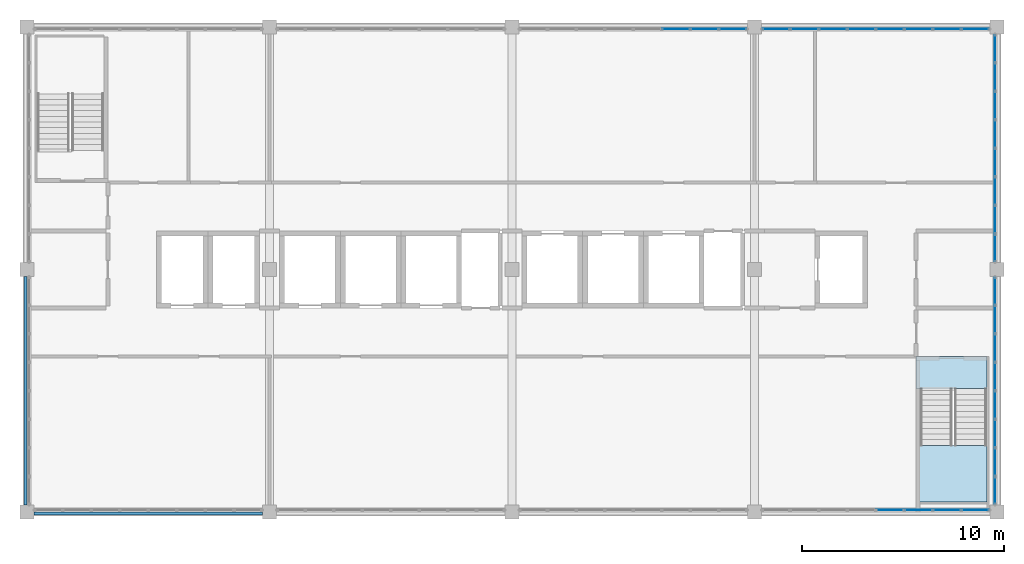
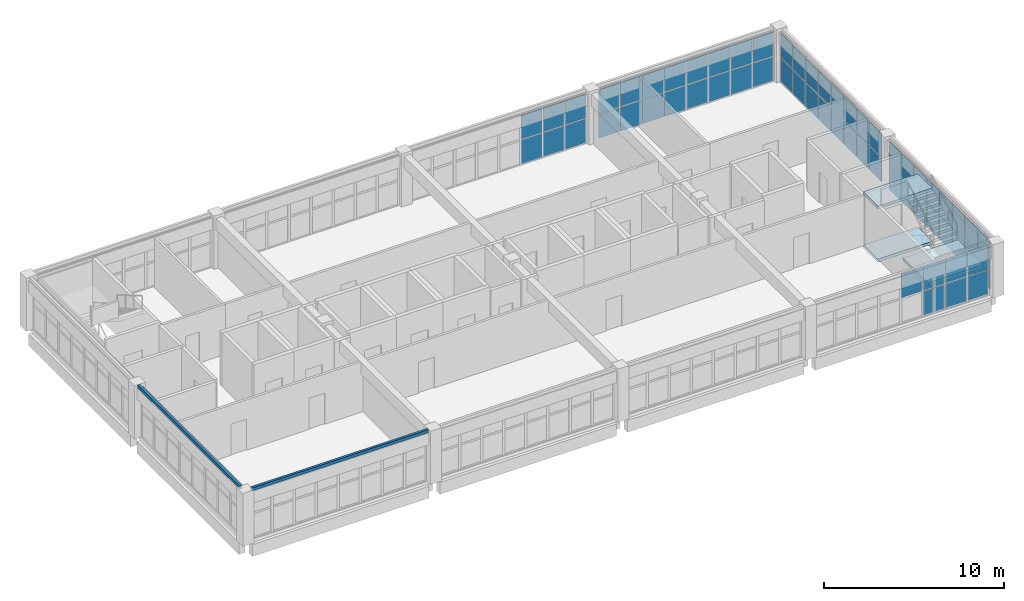
# One storey, part 12 of 16: 61 plates, 3 slabs, 2 walls, 6 elements without a shape of their own.
"""IFC4 building model written with IfcOpenShell, lengths in metres."""

from ifc_helpers import new_model, si_unit, direction, frame, frame_2d, origin, origin_2d, place, context, subcontext, project, spatial, polyline, rectangle, outline, extrude, material, layer, layer_set, type_object, element, aggregate, save


model = new_model("IFC4")

# Units and contexts
model_context = context("Model", 3, precision=1e-05, world=origin(), true_north=direction((0.0, 1.0)))
body_context = subcontext(model_context, "Body", "Model", "MODEL_VIEW")
ifc_project = project(units=[si_unit("LENGTHUNIT", "METRE"), si_unit("AREAUNIT", "SQUARE_METRE"), si_unit("VOLUMEUNIT", "CUBIC_METRE"), si_unit("PLANEANGLEUNIT", "RADIAN"), si_unit("MASSUNIT", "GRAM", prefix="KILO")], contexts=[model_context])

# Site, building, storey
site_placement = place(None, origin())
site = spatial("IfcSite", under=ifc_project, at=site_placement, CompositionType="ELEMENT")
building_placement = place(site_placement, origin())
building = spatial("IfcBuilding", under=site, at=building_placement, Name="Lilac Gate Convention Centre", CompositionType="ELEMENT")
storey_placement = place(building_placement, frame((0.0, 0.0, 67.800048828125)))
storey = spatial("IfcBuildingStorey", under=building, at=storey_placement, Name="L17", CompositionType="ELEMENT", Elevation=67.800048828125)

# Curtain wall, plates
ifc_material_1 = material(Name="Aluminium framed double glazing", Category="aluminium")
ifc_layer_1 = layer(ifc_material_1, 0.199951171875)
ifc_layer_set_1 = layer_set([ifc_layer_1], Name="Aluminium framed double glazing")
curtain_wall_type = type_object("IfcCurtainWallType", Name="Unitised curtain wall 1500", PredefinedType="NOTDEFINED", material=ifc_layer_set_1)
curtain_wall_1_placement = place(storey_placement, origin())
curtain_wall_1 = element("IfcCurtainWall", 1, at=curtain_wall_1_placement, inside=storey, type_object=curtain_wall_type, Name="Curtain wall S L17 4", PredefinedType="NOTDEFINED")
ifc_material_2 = material(Name="Double glazed unit low emissivity")
ifc_layer_2 = layer(ifc_material_2, 0.028076171875)
ifc_layer_set_2 = layer_set([ifc_layer_2], Name="Double glazed unit low emissivity")
plate_type_1 = type_object("IfcPlateType", Name="Curtain wall glass panel 28", PredefinedType="CURTAIN_PANEL", material=ifc_layer_set_2)
plate_1_placement = place(storey_placement, frame((84.706298828125, 222.10009765625, 1.72998046875), z_axis=(0.0, 0.0, 1.0), x_axis=(1.0, 0.0, 0.0)))
plate_1 = element("IfcPlate", 2, at=plate_1_placement, type_object=plate_type_1, Name="CW panel 5.2", PredefinedType="CURTAIN_PANEL", context=body_context, shape_type="SweptSolid", body=[
    extrude(rectangle(XDim=1.3525390625, YDim=0.028076171875, at=origin_2d()), origin(), (0.0, 0.0, 1.0), 1.60986328125),
])
plate_2_placement = place(storey_placement, frame((86.11865234375, 222.10009765625, 1.72998046875), z_axis=(0.0, 0.0, 1.0), x_axis=(1.0, 0.0, 0.0)))
plate_2 = element("IfcPlate", 3, at=plate_2_placement, type_object=plate_type_1, Name="CW panel 6.2", PredefinedType="CURTAIN_PANEL", context=body_context, shape_type="SweptSolid", body=[
    extrude(rectangle(XDim=1.3525390625, YDim=0.028076171875, at=origin_2d()), origin(), (0.0, 0.0, 1.0), 1.60986328125),
])
plate_3_placement = place(storey_placement, frame((87.53125, 222.10009765625, 1.72998046875), z_axis=(0.0, 0.0, 1.0), x_axis=(1.0, 0.0, 0.0)))
plate_3 = element("IfcPlate", 4, at=plate_3_placement, type_object=plate_type_1, Name="CW panel 7.2", PredefinedType="CURTAIN_PANEL", context=body_context, shape_type="SweptSolid", body=[
    extrude(rectangle(XDim=1.3525390625, YDim=0.028076171875, at=origin_2d()), origin(), (0.0, 0.0, 1.0), 1.60986328125),
])
plate_4_placement = place(storey_placement, frame((88.9287109375, 222.10009765625, 1.72998046875), z_axis=(0.0, 0.0, 1.0), x_axis=(1.0, 0.0, 0.0)))
plate_4 = element("IfcPlate", 5, at=plate_4_placement, type_object=plate_type_1, Name="CW panel 8.2", PredefinedType="CURTAIN_PANEL", context=body_context, shape_type="SweptSolid", body=[
    extrude(rectangle(XDim=1.322509765625, YDim=0.028076171875, at=origin_2d()), origin(), (0.0, 0.0, 1.0), 1.60986328125),
])

curtain_wall_2_placement = place(storey_placement, origin())
curtain_wall_2 = element("IfcCurtainWall", 6, at=curtain_wall_2_placement, inside=storey, type_object=curtain_wall_type, Name="Curtain wall E L17 1", PredefinedType="NOTDEFINED")
plate_5_placement = place(storey_placement, frame((89.89990234375, 223.0712890625, 1.72998046875), z_axis=(0.0, 0.0, 1.0), x_axis=(0.0, 1.0, 0.0)))
plate_5 = element("IfcPlate", 7, at=plate_5_placement, type_object=plate_type_1, Name="CW panel 1.2", PredefinedType="CURTAIN_PANEL", context=body_context, shape_type="SweptSolid", body=[
    extrude(rectangle(XDim=1.322509765625, YDim=0.028076171875, at=origin_2d()), origin(), (0.0, 0.0, 1.0), 1.60986328125),
])
plate_6_placement = place(storey_placement, frame((89.89990234375, 224.46875, 1.72998046875), z_axis=(0.0, 0.0, 1.0), x_axis=(0.0, 1.0, 0.0)))
plate_6 = element("IfcPlate", 8, at=plate_6_placement, type_object=plate_type_1, Name="CW panel 2.2", PredefinedType="CURTAIN_PANEL", context=body_context, shape_type="SweptSolid", body=[
    extrude(rectangle(XDim=1.3525390625, YDim=0.028076171875, at=origin_2d()), origin(), (0.0, 0.0, 1.0), 1.60986328125),
])
plate_7_placement = place(storey_placement, frame((89.89990234375, 225.88134765625, 1.72998046875), z_axis=(0.0, 0.0, 1.0), x_axis=(0.0, 1.0, 0.0)))
plate_7 = element("IfcPlate", 9, at=plate_7_placement, type_object=plate_type_1, Name="CW panel 3.2", PredefinedType="CURTAIN_PANEL", context=body_context, shape_type="SweptSolid", body=[
    extrude(rectangle(XDim=1.3525390625, YDim=0.028076171875, at=origin_2d()), origin(), (0.0, 0.0, 1.0), 1.60986328125),
])
plate_8_placement = place(storey_placement, frame((89.89990234375, 227.293701171875, 1.72998046875), z_axis=(0.0, 0.0, 1.0), x_axis=(0.0, 1.0, 0.0)))
plate_8 = element("IfcPlate", 10, at=plate_8_placement, type_object=plate_type_1, Name="CW panel 4.2", PredefinedType="CURTAIN_PANEL", context=body_context, shape_type="SweptSolid", body=[
    extrude(rectangle(XDim=1.3525390625, YDim=0.028076171875, at=origin_2d()), origin(), (0.0, 0.0, 1.0), 1.60986328125),
])
plate_9_placement = place(storey_placement, frame((89.89990234375, 228.706298828125, 1.72998046875), z_axis=(0.0, 0.0, 1.0), x_axis=(0.0, 1.0, 0.0)))
plate_9 = element("IfcPlate", 11, at=plate_9_placement, type_object=plate_type_1, Name="CW panel 5.2", PredefinedType="CURTAIN_PANEL", context=body_context, shape_type="SweptSolid", body=[
    extrude(rectangle(XDim=1.3525390625, YDim=0.028076171875, at=origin_2d()), origin(), (0.0, 0.0, 1.0), 1.60986328125),
])
plate_10_placement = place(storey_placement, frame((89.89990234375, 230.11865234375, 1.72998046875), z_axis=(0.0, 0.0, 1.0), x_axis=(0.0, 1.0, 0.0)))
plate_10 = element("IfcPlate", 12, at=plate_10_placement, type_object=plate_type_1, Name="CW panel 6.2", PredefinedType="CURTAIN_PANEL", context=body_context, shape_type="SweptSolid", body=[
    extrude(rectangle(XDim=1.3525390625, YDim=0.028076171875, at=origin_2d()), origin(), (0.0, 0.0, 1.0), 1.60986328125),
])
plate_11_placement = place(storey_placement, frame((89.89990234375, 231.53125, 1.72998046875), z_axis=(0.0, 0.0, 1.0), x_axis=(0.0, 1.0, 0.0)))
plate_11 = element("IfcPlate", 13, at=plate_11_placement, type_object=plate_type_1, Name="CW panel 7.2", PredefinedType="CURTAIN_PANEL", context=body_context, shape_type="SweptSolid", body=[
    extrude(rectangle(XDim=1.3525390625, YDim=0.028076171875, at=origin_2d()), origin(), (0.0, 0.0, 1.0), 1.60986328125),
])
plate_12_placement = place(storey_placement, frame((89.89990234375, 232.9287109375, 1.72998046875), z_axis=(0.0, 0.0, 1.0), x_axis=(0.0, 1.0, 0.0)))
plate_12 = element("IfcPlate", 14, at=plate_12_placement, type_object=plate_type_1, Name="CW panel 8.2", PredefinedType="CURTAIN_PANEL", context=body_context, shape_type="SweptSolid", body=[
    extrude(rectangle(XDim=1.322509765625, YDim=0.028076171875, at=origin_2d()), origin(), (0.0, 0.0, 1.0), 1.60986328125),
])

curtain_wall_3_placement = place(storey_placement, origin())
curtain_wall_3 = element("IfcCurtainWall", 15, at=curtain_wall_3_placement, inside=storey, type_object=curtain_wall_type, Name="Curtain wall E L17 2", PredefinedType="NOTDEFINED")
plate_13_placement = place(storey_placement, frame((89.89990234375, 235.0712890625, 1.72998046875), z_axis=(0.0, 0.0, 1.0), x_axis=(0.0, 1.0, 0.0)))
plate_13 = element("IfcPlate", 16, at=plate_13_placement, type_object=plate_type_1, Name="CW panel 1.2", PredefinedType="CURTAIN_PANEL", context=body_context, shape_type="SweptSolid", body=[
    extrude(rectangle(XDim=1.322509765625, YDim=0.028076171875, at=origin_2d()), origin(), (0.0, 0.0, 1.0), 1.60986328125),
])
plate_14_placement = place(storey_placement, frame((89.89990234375, 236.46875, 1.72998046875), z_axis=(0.0, 0.0, 1.0), x_axis=(0.0, 1.0, 0.0)))
plate_14 = element("IfcPlate", 17, at=plate_14_placement, type_object=plate_type_1, Name="CW panel 2.2", PredefinedType="CURTAIN_PANEL", context=body_context, shape_type="SweptSolid", body=[
    extrude(rectangle(XDim=1.3525390625, YDim=0.028076171875, at=origin_2d()), origin(), (0.0, 0.0, 1.0), 1.60986328125),
])
plate_15_placement = place(storey_placement, frame((89.89990234375, 237.88134765625, 1.72998046875), z_axis=(0.0, 0.0, 1.0), x_axis=(0.0, 1.0, 0.0)))
plate_15 = element("IfcPlate", 18, at=plate_15_placement, type_object=plate_type_1, Name="CW panel 3.2", PredefinedType="CURTAIN_PANEL", context=body_context, shape_type="SweptSolid", body=[
    extrude(rectangle(XDim=1.3525390625, YDim=0.028076171875, at=origin_2d()), origin(), (0.0, 0.0, 1.0), 1.60986328125),
])
plate_16_placement = place(storey_placement, frame((89.89990234375, 239.293701171875, 1.72998046875), z_axis=(0.0, 0.0, 1.0), x_axis=(0.0, 1.0, 0.0)))
plate_16 = element("IfcPlate", 19, at=plate_16_placement, type_object=plate_type_1, Name="CW panel 4.2", PredefinedType="CURTAIN_PANEL", context=body_context, shape_type="SweptSolid", body=[
    extrude(rectangle(XDim=1.3525390625, YDim=0.028076171875, at=origin_2d()), origin(), (0.0, 0.0, 1.0), 1.60986328125),
])
plate_17_placement = place(storey_placement, frame((89.89990234375, 240.706298828125, 1.72998046875), z_axis=(0.0, 0.0, 1.0), x_axis=(0.0, 1.0, 0.0)))
plate_17 = element("IfcPlate", 20, at=plate_17_placement, type_object=plate_type_1, Name="CW panel 5.2", PredefinedType="CURTAIN_PANEL", context=body_context, shape_type="SweptSolid", body=[
    extrude(rectangle(XDim=1.3525390625, YDim=0.028076171875, at=origin_2d()), origin(), (0.0, 0.0, 1.0), 1.60986328125),
])
plate_18_placement = place(storey_placement, frame((89.89990234375, 242.11865234375, 1.72998046875), z_axis=(0.0, 0.0, 1.0), x_axis=(0.0, 1.0, 0.0)))
plate_18 = element("IfcPlate", 21, at=plate_18_placement, type_object=plate_type_1, Name="CW panel 6.2", PredefinedType="CURTAIN_PANEL", context=body_context, shape_type="SweptSolid", body=[
    extrude(rectangle(XDim=1.3525390625, YDim=0.028076171875, at=origin_2d()), origin(), (0.0, 0.0, 1.0), 1.60986328125),
])
plate_19_placement = place(storey_placement, frame((89.89990234375, 243.53125, 1.72998046875), z_axis=(0.0, 0.0, 1.0), x_axis=(0.0, 1.0, 0.0)))
plate_19 = element("IfcPlate", 22, at=plate_19_placement, type_object=plate_type_1, Name="CW panel 7.2", PredefinedType="CURTAIN_PANEL", context=body_context, shape_type="SweptSolid", body=[
    extrude(rectangle(XDim=1.3525390625, YDim=0.028076171875, at=origin_2d()), origin(), (0.0, 0.0, 1.0), 1.60986328125),
])
plate_20_placement = place(storey_placement, frame((89.89990234375, 244.9287109375, 1.72998046875), z_axis=(0.0, 0.0, 1.0), x_axis=(0.0, 1.0, 0.0)))
plate_20 = element("IfcPlate", 23, at=plate_20_placement, type_object=plate_type_1, Name="CW panel 8.2", PredefinedType="CURTAIN_PANEL", context=body_context, shape_type="SweptSolid", body=[
    extrude(rectangle(XDim=1.322509765625, YDim=0.028076171875, at=origin_2d()), origin(), (0.0, 0.0, 1.0), 1.60986328125),
])

curtain_wall_4_placement = place(storey_placement, origin())
curtain_wall_4 = element("IfcCurtainWall", 24, at=curtain_wall_4_placement, inside=storey, type_object=curtain_wall_type, Name="Curtain wall N L17 1", PredefinedType="NOTDEFINED")
plate_21_placement = place(storey_placement, frame((88.9287109375, 245.89990234375, 1.72998046875), z_axis=(0.0, 0.0, 1.0), x_axis=(-1.0, 0.0, 0.0)))
plate_21 = element("IfcPlate", 25, at=plate_21_placement, type_object=plate_type_1, Name="CW panel 1.2", PredefinedType="CURTAIN_PANEL", context=body_context, shape_type="SweptSolid", body=[
    extrude(rectangle(XDim=1.322509765625, YDim=0.028076171875, at=origin_2d()), origin(), (0.0, 0.0, 1.0), 1.60986328125),
])
plate_22_placement = place(storey_placement, frame((87.53125, 245.89990234375, 1.72998046875), z_axis=(0.0, 0.0, 1.0), x_axis=(-1.0, 0.0, 0.0)))
plate_22 = element("IfcPlate", 26, at=plate_22_placement, type_object=plate_type_1, Name="CW panel 2.2", PredefinedType="CURTAIN_PANEL", context=body_context, shape_type="SweptSolid", body=[
    extrude(rectangle(XDim=1.3525390625, YDim=0.028076171875, at=origin_2d()), origin(), (0.0, 0.0, 1.0), 1.60986328125),
])
plate_23_placement = place(storey_placement, frame((86.11865234375, 245.89990234375, 1.72998046875), z_axis=(0.0, 0.0, 1.0), x_axis=(-1.0, 0.0, 0.0)))
plate_23 = element("IfcPlate", 27, at=plate_23_placement, type_object=plate_type_1, Name="CW panel 3.2", PredefinedType="CURTAIN_PANEL", context=body_context, shape_type="SweptSolid", body=[
    extrude(rectangle(XDim=1.3525390625, YDim=0.028076171875, at=origin_2d()), origin(), (0.0, 0.0, 1.0), 1.60986328125),
])
plate_24_placement = place(storey_placement, frame((84.706298828125, 245.89990234375, 1.72998046875), z_axis=(0.0, 0.0, 1.0), x_axis=(-1.0, 0.0, 0.0)))
plate_24 = element("IfcPlate", 28, at=plate_24_placement, type_object=plate_type_1, Name="CW panel 4.2", PredefinedType="CURTAIN_PANEL", context=body_context, shape_type="SweptSolid", body=[
    extrude(rectangle(XDim=1.3525390625, YDim=0.028076171875, at=origin_2d()), origin(), (0.0, 0.0, 1.0), 1.60986328125),
])
plate_25_placement = place(storey_placement, frame((83.293701171875, 245.89990234375, 1.72998046875), z_axis=(0.0, 0.0, 1.0), x_axis=(-1.0, 0.0, 0.0)))
plate_25 = element("IfcPlate", 29, at=plate_25_placement, type_object=plate_type_1, Name="CW panel 5.2", PredefinedType="CURTAIN_PANEL", context=body_context, shape_type="SweptSolid", body=[
    extrude(rectangle(XDim=1.3525390625, YDim=0.028076171875, at=origin_2d()), origin(), (0.0, 0.0, 1.0), 1.60986328125),
])
plate_26_placement = place(storey_placement, frame((81.88134765625, 245.89990234375, 1.72998046875), z_axis=(0.0, 0.0, 1.0), x_axis=(-1.0, 0.0, 0.0)))
plate_26 = element("IfcPlate", 30, at=plate_26_placement, type_object=plate_type_1, Name="CW panel 6.2", PredefinedType="CURTAIN_PANEL", context=body_context, shape_type="SweptSolid", body=[
    extrude(rectangle(XDim=1.3525390625, YDim=0.028076171875, at=origin_2d()), origin(), (0.0, 0.0, 1.0), 1.60986328125),
])
plate_27_placement = place(storey_placement, frame((80.46875, 245.89990234375, 1.72998046875), z_axis=(0.0, 0.0, 1.0), x_axis=(-1.0, 0.0, 0.0)))
plate_27 = element("IfcPlate", 31, at=plate_27_placement, type_object=plate_type_1, Name="CW panel 7.2", PredefinedType="CURTAIN_PANEL", context=body_context, shape_type="SweptSolid", body=[
    extrude(rectangle(XDim=1.3525390625, YDim=0.028076171875, at=origin_2d()), origin(), (0.0, 0.0, 1.0), 1.60986328125),
])
plate_28_placement = place(storey_placement, frame((79.0712890625, 245.89990234375, 1.72998046875), z_axis=(0.0, 0.0, 1.0), x_axis=(-1.0, 0.0, 0.0)))
plate_28 = element("IfcPlate", 32, at=plate_28_placement, type_object=plate_type_1, Name="CW panel 8.2", PredefinedType="CURTAIN_PANEL", context=body_context, shape_type="SweptSolid", body=[
    extrude(rectangle(XDim=1.322509765625, YDim=0.028076171875, at=origin_2d()), origin(), (0.0, 0.0, 1.0), 1.60986328125),
])

curtain_wall_5_placement = place(storey_placement, origin())
curtain_wall_5 = element("IfcCurtainWall", 33, at=curtain_wall_5_placement, inside=storey, type_object=curtain_wall_type, Name="Curtain wall N L17 2", PredefinedType="NOTDEFINED")
plate_29_placement = place(storey_placement, frame((76.9287109375, 245.89990234375, 1.72998046875), z_axis=(0.0, 0.0, 1.0), x_axis=(-1.0, 0.0, 0.0)))
plate_29 = element("IfcPlate", 34, at=plate_29_placement, type_object=plate_type_1, Name="CW panel 1.2", PredefinedType="CURTAIN_PANEL", context=body_context, shape_type="SweptSolid", body=[
    extrude(rectangle(XDim=1.322509765625, YDim=0.028076171875, at=origin_2d()), origin(), (0.0, 0.0, 1.0), 1.60986328125),
])
plate_30_placement = place(storey_placement, frame((75.53125, 245.89990234375, 1.72998046875), z_axis=(0.0, 0.0, 1.0), x_axis=(-1.0, 0.0, 0.0)))
plate_30 = element("IfcPlate", 35, at=plate_30_placement, type_object=plate_type_1, Name="CW panel 2.2", PredefinedType="CURTAIN_PANEL", context=body_context, shape_type="SweptSolid", body=[
    extrude(rectangle(XDim=1.3525390625, YDim=0.028076171875, at=origin_2d()), origin(), (0.0, 0.0, 1.0), 1.60986328125),
])
plate_31_placement = place(storey_placement, frame((74.11865234375, 245.89990234375, 1.72998046875), z_axis=(0.0, 0.0, 1.0), x_axis=(-1.0, 0.0, 0.0)))
plate_31 = element("IfcPlate", 36, at=plate_31_placement, type_object=plate_type_1, Name="CW panel 3.2", PredefinedType="CURTAIN_PANEL", context=body_context, shape_type="SweptSolid", body=[
    extrude(rectangle(XDim=1.3525390625, YDim=0.028076171875, at=origin_2d()), origin(), (0.0, 0.0, 1.0), 1.60986328125),
])

# Plate
ifc_material_3 = material(Name="Insulated aluminium spandrel panel", Category="aluminium")
ifc_layer_3 = layer(ifc_material_3, 0.028076171875)
ifc_layer_set_3 = layer_set([ifc_layer_3], Name="Insulated aluminium spandrel panel")
plate_type_2 = type_object("IfcPlateType", Name="Curtain wall spandrel panel 28", PredefinedType="CURTAIN_PANEL", material=ifc_layer_set_3)
plate_32_placement = place(storey_placement, frame((86.11865234375, 222.10009765625, 0.06005859375), z_axis=(0.0, 0.0, 1.0), x_axis=(1.0, 0.0, 0.0)))
plate_32 = element("IfcPlate", 37, at=plate_32_placement, type_object=plate_type_2, Name="CW spandrel 6.1", PredefinedType="CURTAIN_PANEL", context=body_context, shape_type="SweptSolid", body=[
    extrude(rectangle(XDim=1.3525390625, YDim=0.028076171875, at=origin_2d()), origin(), (0.0, 0.0, 1.0), 1.60986328125),
])

plate_33_placement = place(storey_placement, frame((87.53125, 222.10009765625, 0.06005859375), z_axis=(0.0, 0.0, 1.0), x_axis=(1.0, 0.0, 0.0)))
plate_33 = element("IfcPlate", 38, at=plate_33_placement, type_object=plate_type_2, Name="CW spandrel 7.1", PredefinedType="CURTAIN_PANEL", context=body_context, shape_type="SweptSolid", body=[
    extrude(rectangle(XDim=1.3525390625, YDim=0.028076171875, at=origin_2d()), origin(), (0.0, 0.0, 1.0), 1.60986328125),
])

plate_34_placement = place(storey_placement, frame((88.9287109375, 222.10009765625, 0.06005859375), z_axis=(0.0, 0.0, 1.0), x_axis=(1.0, 0.0, 0.0)))
plate_34 = element("IfcPlate", 39, at=plate_34_placement, type_object=plate_type_2, Name="CW spandrel 8.1", PredefinedType="CURTAIN_PANEL", context=body_context, shape_type="SweptSolid", body=[
    extrude(rectangle(XDim=1.322509765625, YDim=0.028076171875, at=origin_2d()), origin(), (0.0, 0.0, 1.0), 1.60986328125),
])

aggregate(curtain_wall_1, [plate_1, plate_32, plate_2, plate_33, plate_3, plate_34, plate_4])

plate_35_placement = place(storey_placement, frame((89.89990234375, 223.0712890625, 0.06005859375), z_axis=(0.0, 0.0, 1.0), x_axis=(0.0, 1.0, 0.0)))
plate_35 = element("IfcPlate", 40, at=plate_35_placement, type_object=plate_type_2, Name="CW spandrel 1.1", PredefinedType="CURTAIN_PANEL", context=body_context, shape_type="SweptSolid", body=[
    extrude(rectangle(XDim=1.322509765625, YDim=0.028076171875, at=origin_2d()), origin(), (0.0, 0.0, 1.0), 1.60986328125),
])

plate_36_placement = place(storey_placement, frame((89.89990234375, 224.46875, 0.06005859375), z_axis=(0.0, 0.0, 1.0), x_axis=(0.0, 1.0, 0.0)))
plate_36 = element("IfcPlate", 41, at=plate_36_placement, type_object=plate_type_2, Name="CW spandrel 2.1", PredefinedType="CURTAIN_PANEL", context=body_context, shape_type="SweptSolid", body=[
    extrude(rectangle(XDim=1.3525390625, YDim=0.028076171875, at=origin_2d()), origin(), (0.0, 0.0, 1.0), 1.60986328125),
])

plate_37_placement = place(storey_placement, frame((89.89990234375, 225.88134765625, 0.06005859375), z_axis=(0.0, 0.0, 1.0), x_axis=(0.0, 1.0, 0.0)))
plate_37 = element("IfcPlate", 42, at=plate_37_placement, type_object=plate_type_2, Name="CW spandrel 3.1", PredefinedType="CURTAIN_PANEL", context=body_context, shape_type="SweptSolid", body=[
    extrude(rectangle(XDim=1.3525390625, YDim=0.028076171875, at=origin_2d()), origin(), (0.0, 0.0, 1.0), 1.60986328125),
])

plate_38_placement = place(storey_placement, frame((89.89990234375, 227.293701171875, 0.06005859375), z_axis=(0.0, 0.0, 1.0), x_axis=(0.0, 1.0, 0.0)))
plate_38 = element("IfcPlate", 43, at=plate_38_placement, type_object=plate_type_2, Name="CW spandrel 4.1", PredefinedType="CURTAIN_PANEL", context=body_context, shape_type="SweptSolid", body=[
    extrude(rectangle(XDim=1.3525390625, YDim=0.028076171875, at=origin_2d()), origin(), (0.0, 0.0, 1.0), 1.60986328125),
])

plate_39_placement = place(storey_placement, frame((89.89990234375, 228.706298828125, 0.06005859375), z_axis=(0.0, 0.0, 1.0), x_axis=(0.0, 1.0, 0.0)))
plate_39 = element("IfcPlate", 44, at=plate_39_placement, type_object=plate_type_2, Name="CW spandrel 5.1", PredefinedType="CURTAIN_PANEL", context=body_context, shape_type="SweptSolid", body=[
    extrude(rectangle(XDim=1.3525390625, YDim=0.028076171875, at=origin_2d()), origin(), (0.0, 0.0, 1.0), 1.60986328125),
])

plate_40_placement = place(storey_placement, frame((89.89990234375, 230.11865234375, 0.06005859375), z_axis=(0.0, 0.0, 1.0), x_axis=(0.0, 1.0, 0.0)))
plate_40 = element("IfcPlate", 45, at=plate_40_placement, type_object=plate_type_2, Name="CW spandrel 6.1", PredefinedType="CURTAIN_PANEL", context=body_context, shape_type="SweptSolid", body=[
    extrude(rectangle(XDim=1.3525390625, YDim=0.028076171875, at=origin_2d()), origin(), (0.0, 0.0, 1.0), 1.60986328125),
])

plate_41_placement = place(storey_placement, frame((89.89990234375, 231.53125, 0.06005859375), z_axis=(0.0, 0.0, 1.0), x_axis=(0.0, 1.0, 0.0)))
plate_41 = element("IfcPlate", 46, at=plate_41_placement, type_object=plate_type_2, Name="CW spandrel 7.1", PredefinedType="CURTAIN_PANEL", context=body_context, shape_type="SweptSolid", body=[
    extrude(rectangle(XDim=1.3525390625, YDim=0.028076171875, at=origin_2d()), origin(), (0.0, 0.0, 1.0), 1.60986328125),
])

plate_42_placement = place(storey_placement, frame((89.89990234375, 232.9287109375, 0.06005859375), z_axis=(0.0, 0.0, 1.0), x_axis=(0.0, 1.0, 0.0)))
plate_42 = element("IfcPlate", 47, at=plate_42_placement, type_object=plate_type_2, Name="CW spandrel 8.1", PredefinedType="CURTAIN_PANEL", context=body_context, shape_type="SweptSolid", body=[
    extrude(rectangle(XDim=1.322509765625, YDim=0.028076171875, at=origin_2d()), origin(), (0.0, 0.0, 1.0), 1.60986328125),
])

aggregate(curtain_wall_2, [plate_35, plate_5, plate_36, plate_6, plate_37, plate_7, plate_38, plate_8, plate_39, plate_9, plate_40, plate_10, plate_41, plate_11, plate_42, plate_12])

plate_43_placement = place(storey_placement, frame((89.89990234375, 235.0712890625, 0.06005859375), z_axis=(0.0, 0.0, 1.0), x_axis=(0.0, 1.0, 0.0)))
plate_43 = element("IfcPlate", 48, at=plate_43_placement, type_object=plate_type_2, Name="CW spandrel 1.1", PredefinedType="CURTAIN_PANEL", context=body_context, shape_type="SweptSolid", body=[
    extrude(rectangle(XDim=1.322509765625, YDim=0.028076171875, at=origin_2d()), origin(), (0.0, 0.0, 1.0), 1.60986328125),
])

plate_44_placement = place(storey_placement, frame((89.89990234375, 236.46875, 0.06005859375), z_axis=(0.0, 0.0, 1.0), x_axis=(0.0, 1.0, 0.0)))
plate_44 = element("IfcPlate", 49, at=plate_44_placement, type_object=plate_type_2, Name="CW spandrel 2.1", PredefinedType="CURTAIN_PANEL", context=body_context, shape_type="SweptSolid", body=[
    extrude(rectangle(XDim=1.3525390625, YDim=0.028076171875, at=origin_2d()), origin(), (0.0, 0.0, 1.0), 1.60986328125),
])

plate_45_placement = place(storey_placement, frame((89.89990234375, 237.88134765625, 0.06005859375), z_axis=(0.0, 0.0, 1.0), x_axis=(0.0, 1.0, 0.0)))
plate_45 = element("IfcPlate", 50, at=plate_45_placement, type_object=plate_type_2, Name="CW spandrel 3.1", PredefinedType="CURTAIN_PANEL", context=body_context, shape_type="SweptSolid", body=[
    extrude(rectangle(XDim=1.3525390625, YDim=0.028076171875, at=origin_2d()), origin(), (0.0, 0.0, 1.0), 1.60986328125),
])

plate_46_placement = place(storey_placement, frame((89.89990234375, 239.293701171875, 0.06005859375), z_axis=(0.0, 0.0, 1.0), x_axis=(0.0, 1.0, 0.0)))
plate_46 = element("IfcPlate", 51, at=plate_46_placement, type_object=plate_type_2, Name="CW spandrel 4.1", PredefinedType="CURTAIN_PANEL", context=body_context, shape_type="SweptSolid", body=[
    extrude(rectangle(XDim=1.3525390625, YDim=0.028076171875, at=origin_2d()), origin(), (0.0, 0.0, 1.0), 1.60986328125),
])

plate_47_placement = place(storey_placement, frame((89.89990234375, 240.706298828125, 0.06005859375), z_axis=(0.0, 0.0, 1.0), x_axis=(0.0, 1.0, 0.0)))
plate_47 = element("IfcPlate", 52, at=plate_47_placement, type_object=plate_type_2, Name="CW spandrel 5.1", PredefinedType="CURTAIN_PANEL", context=body_context, shape_type="SweptSolid", body=[
    extrude(rectangle(XDim=1.3525390625, YDim=0.028076171875, at=origin_2d()), origin(), (0.0, 0.0, 1.0), 1.60986328125),
])

plate_48_placement = place(storey_placement, frame((89.89990234375, 242.11865234375, 0.06005859375), z_axis=(0.0, 0.0, 1.0), x_axis=(0.0, 1.0, 0.0)))
plate_48 = element("IfcPlate", 53, at=plate_48_placement, type_object=plate_type_2, Name="CW spandrel 6.1", PredefinedType="CURTAIN_PANEL", context=body_context, shape_type="SweptSolid", body=[
    extrude(rectangle(XDim=1.3525390625, YDim=0.028076171875, at=origin_2d()), origin(), (0.0, 0.0, 1.0), 1.60986328125),
])

plate_49_placement = place(storey_placement, frame((89.89990234375, 243.53125, 0.06005859375), z_axis=(0.0, 0.0, 1.0), x_axis=(0.0, 1.0, 0.0)))
plate_49 = element("IfcPlate", 54, at=plate_49_placement, type_object=plate_type_2, Name="CW spandrel 7.1", PredefinedType="CURTAIN_PANEL", context=body_context, shape_type="SweptSolid", body=[
    extrude(rectangle(XDim=1.3525390625, YDim=0.028076171875, at=origin_2d()), origin(), (0.0, 0.0, 1.0), 1.60986328125),
])

plate_50_placement = place(storey_placement, frame((89.89990234375, 244.9287109375, 0.06005859375), z_axis=(0.0, 0.0, 1.0), x_axis=(0.0, 1.0, 0.0)))
plate_50 = element("IfcPlate", 55, at=plate_50_placement, type_object=plate_type_2, Name="CW spandrel 8.1", PredefinedType="CURTAIN_PANEL", context=body_context, shape_type="SweptSolid", body=[
    extrude(rectangle(XDim=1.322509765625, YDim=0.028076171875, at=origin_2d()), origin(), (0.0, 0.0, 1.0), 1.60986328125),
])

aggregate(curtain_wall_3, [plate_43, plate_13, plate_44, plate_14, plate_45, plate_15, plate_46, plate_16, plate_47, plate_17, plate_48, plate_18, plate_49, plate_19, plate_50, plate_20])

plate_51_placement = place(storey_placement, frame((88.9287109375, 245.89990234375, 0.06005859375), z_axis=(0.0, 0.0, 1.0), x_axis=(-1.0, 0.0, 0.0)))
plate_51 = element("IfcPlate", 56, at=plate_51_placement, type_object=plate_type_2, Name="CW spandrel 1.1", PredefinedType="CURTAIN_PANEL", context=body_context, shape_type="SweptSolid", body=[
    extrude(rectangle(XDim=1.322509765625, YDim=0.028076171875, at=origin_2d()), origin(), (0.0, 0.0, 1.0), 1.60986328125),
])

plate_52_placement = place(storey_placement, frame((87.53125, 245.89990234375, 0.06005859375), z_axis=(0.0, 0.0, 1.0), x_axis=(-1.0, 0.0, 0.0)))
plate_52 = element("IfcPlate", 57, at=plate_52_placement, type_object=plate_type_2, Name="CW spandrel 2.1", PredefinedType="CURTAIN_PANEL", context=body_context, shape_type="SweptSolid", body=[
    extrude(rectangle(XDim=1.3525390625, YDim=0.028076171875, at=origin_2d()), origin(), (0.0, 0.0, 1.0), 1.60986328125),
])

plate_53_placement = place(storey_placement, frame((86.11865234375, 245.89990234375, 0.06005859375), z_axis=(0.0, 0.0, 1.0), x_axis=(-1.0, 0.0, 0.0)))
plate_53 = element("IfcPlate", 58, at=plate_53_placement, type_object=plate_type_2, Name="CW spandrel 3.1", PredefinedType="CURTAIN_PANEL", context=body_context, shape_type="SweptSolid", body=[
    extrude(rectangle(XDim=1.3525390625, YDim=0.028076171875, at=origin_2d()), origin(), (0.0, 0.0, 1.0), 1.60986328125),
])

plate_54_placement = place(storey_placement, frame((84.706298828125, 245.89990234375, 0.06005859375), z_axis=(0.0, 0.0, 1.0), x_axis=(-1.0, 0.0, 0.0)))
plate_54 = element("IfcPlate", 59, at=plate_54_placement, type_object=plate_type_2, Name="CW spandrel 4.1", PredefinedType="CURTAIN_PANEL", context=body_context, shape_type="SweptSolid", body=[
    extrude(rectangle(XDim=1.3525390625, YDim=0.028076171875, at=origin_2d()), origin(), (0.0, 0.0, 1.0), 1.60986328125),
])

plate_55_placement = place(storey_placement, frame((83.293701171875, 245.89990234375, 0.06005859375), z_axis=(0.0, 0.0, 1.0), x_axis=(-1.0, 0.0, 0.0)))
plate_55 = element("IfcPlate", 60, at=plate_55_placement, type_object=plate_type_2, Name="CW spandrel 5.1", PredefinedType="CURTAIN_PANEL", context=body_context, shape_type="SweptSolid", body=[
    extrude(rectangle(XDim=1.3525390625, YDim=0.028076171875, at=origin_2d()), origin(), (0.0, 0.0, 1.0), 1.60986328125),
])

plate_56_placement = place(storey_placement, frame((81.88134765625, 245.89990234375, 0.06005859375), z_axis=(0.0, 0.0, 1.0), x_axis=(-1.0, 0.0, 0.0)))
plate_56 = element("IfcPlate", 61, at=plate_56_placement, type_object=plate_type_2, Name="CW spandrel 6.1", PredefinedType="CURTAIN_PANEL", context=body_context, shape_type="SweptSolid", body=[
    extrude(rectangle(XDim=1.3525390625, YDim=0.028076171875, at=origin_2d()), origin(), (0.0, 0.0, 1.0), 1.60986328125),
])

plate_57_placement = place(storey_placement, frame((80.46875, 245.89990234375, 0.06005859375), z_axis=(0.0, 0.0, 1.0), x_axis=(-1.0, 0.0, 0.0)))
plate_57 = element("IfcPlate", 62, at=plate_57_placement, type_object=plate_type_2, Name="CW spandrel 7.1", PredefinedType="CURTAIN_PANEL", context=body_context, shape_type="SweptSolid", body=[
    extrude(rectangle(XDim=1.3525390625, YDim=0.028076171875, at=origin_2d()), origin(), (0.0, 0.0, 1.0), 1.60986328125),
])

plate_58_placement = place(storey_placement, frame((79.0712890625, 245.89990234375, 0.06005859375), z_axis=(0.0, 0.0, 1.0), x_axis=(-1.0, 0.0, 0.0)))
plate_58 = element("IfcPlate", 63, at=plate_58_placement, type_object=plate_type_2, Name="CW spandrel 8.1", PredefinedType="CURTAIN_PANEL", context=body_context, shape_type="SweptSolid", body=[
    extrude(rectangle(XDim=1.322509765625, YDim=0.028076171875, at=origin_2d()), origin(), (0.0, 0.0, 1.0), 1.60986328125),
])

aggregate(curtain_wall_4, [plate_51, plate_21, plate_52, plate_22, plate_53, plate_23, plate_54, plate_24, plate_55, plate_25, plate_56, plate_26, plate_57, plate_27, plate_58, plate_28])

plate_59_placement = place(storey_placement, frame((76.9287109375, 245.89990234375, 0.06005859375), z_axis=(0.0, 0.0, 1.0), x_axis=(-1.0, 0.0, 0.0)))
plate_59 = element("IfcPlate", 64, at=plate_59_placement, type_object=plate_type_2, Name="CW spandrel 1.1", PredefinedType="CURTAIN_PANEL", context=body_context, shape_type="SweptSolid", body=[
    extrude(rectangle(XDim=1.322509765625, YDim=0.028076171875, at=origin_2d()), origin(), (0.0, 0.0, 1.0), 1.60986328125),
])

plate_60_placement = place(storey_placement, frame((75.53125, 245.89990234375, 0.06005859375), z_axis=(0.0, 0.0, 1.0), x_axis=(-1.0, 0.0, 0.0)))
plate_60 = element("IfcPlate", 65, at=plate_60_placement, type_object=plate_type_2, Name="CW spandrel 2.1", PredefinedType="CURTAIN_PANEL", context=body_context, shape_type="SweptSolid", body=[
    extrude(rectangle(XDim=1.3525390625, YDim=0.028076171875, at=origin_2d()), origin(), (0.0, 0.0, 1.0), 1.60986328125),
])

plate_61_placement = place(storey_placement, frame((74.11865234375, 245.89990234375, 0.06005859375), z_axis=(0.0, 0.0, 1.0), x_axis=(-1.0, 0.0, 0.0)))
plate_61 = element("IfcPlate", 66, at=plate_61_placement, type_object=plate_type_2, Name="CW spandrel 3.1", PredefinedType="CURTAIN_PANEL", context=body_context, shape_type="SweptSolid", body=[
    extrude(rectangle(XDim=1.3525390625, YDim=0.028076171875, at=origin_2d()), origin(), (0.0, 0.0, 1.0), 1.60986328125),
])

aggregate(curtain_wall_5, [plate_59, plate_29, plate_60, plate_30, plate_61, plate_31])

# Stair, slabs
ifc_material_4 = material(Name="Concrete C40", Category="concrete")
stair_type = type_object("IfcStairType", Name="Exit stair", PredefinedType="DOUBLE_RETURN_STAIR", material=ifc_material_4)
stair_placement = place(storey_placement, origin())
stair = element("IfcStair", 67, at=stair_placement, inside=storey, type_object=stair_type, Name="Exit stair SE L17", PredefinedType="DOUBLE_RETURN_STAIR")
ifc_layer_4 = layer(ifc_material_4, 0.199951171875)
ifc_layer_set_4 = layer_set([ifc_layer_4], Name="Concrete C40")
slab_type = type_object("IfcSlabType", Name="Exit stair landing", PredefinedType="LANDING", material=ifc_layer_set_4)
slab_1_placement = place(storey_placement, frame((0.0, 0.0, -0.199951171875)))
slab_1 = element("IfcSlab", 68, at=slab_1_placement, type_object=slab_type, Name="ST-SE landing 1", PredefinedType="LANDING", context=body_context, shape_type="SweptSolid", body=[
    extrude(outline(polyline([(86.0, 228.10009765625), (89.5, 228.10009765625), (89.5, 229.699951171875), (86.0, 229.699951171875), (86.0, 228.10009765625)])), origin(), (0.0, 0.0, 1.0), 0.199951171875),
])
slab_2_placement = place(storey_placement, frame((0.0, 0.0, 1.599853515625)))
slab_2 = element("IfcSlab", 69, at=slab_2_placement, type_object=slab_type, Name="ST-SE landing 2", PredefinedType="LANDING", context=body_context, shape_type="SweptSolid", body=[
    extrude(outline(polyline([(86.0, 222.5), (89.5, 222.5), (89.5, 225.300048828125), (86.0, 225.300048828125), (86.0, 222.5)])), origin(), (0.0, 0.0, 1.0), 0.2001953125),
])
slab_3_placement = place(storey_placement, frame((0.0, 0.0, 3.39990234375)))
slab_3 = element("IfcSlab", 70, at=slab_3_placement, type_object=slab_type, Name="ST-SE landing 3", PredefinedType="LANDING", context=body_context, shape_type="SweptSolid", body=[
    extrude(outline(polyline([(86.0, 228.10009765625), (89.5, 228.10009765625), (89.5, 229.699951171875), (86.0, 229.699951171875), (86.0, 228.10009765625)])), origin(), (0.0, 0.0, 1.0), 0.199951171875),
])
aggregate(stair, [slab_1, slab_2, slab_3])

# Walls
ifc_material_5 = material(Name="Concrete C40 precast", Category="concrete")
ifc_layer_5 = layer(ifc_material_5, 0.1298828125)
ifc_material_6 = material(Name="Teal glazed cladding")
ifc_layer_6 = layer(ifc_material_6, 0.02001953125)
ifc_layer_set_5 = layer_set([ifc_layer_5, ifc_layer_6], Name="Concrete C40 precast, Teal glazed cladding")
wall_type = type_object("IfcWallType", Name="Precast band teal 150", PredefinedType="STANDARD", material=ifc_layer_set_5)
for number, where, z_axis, x_axis, name in (
    (71, (42.35009765625, 221.925048828125, 3.39990234375), (0.0, 0.0, 1.0), (1.0, 0.0, 0.0), "Precast band S L17 1"),
    (72, (41.925048828125, 233.64990234375, 3.39990234375), (0.0, 0.0, 1.0), (0.0, -1.0, 0.0), "Precast band W L17 2"),
):
    element("IfcWall", number, at=place(storey_placement, frame(where, z_axis=z_axis, x_axis=x_axis)), inside=storey, type_object=wall_type, Name=name, PredefinedType="STANDARD", context=body_context, shape_type="SweptSolid", body=[
        extrude(rectangle(XDim=11.2998046875, YDim=0.14990234375, at=frame_2d((5.64990234375, 0.0))), origin(), (0.0, 0.0, 1.0), 0.199951171875),
    ])

save(model, "model.ifc")
